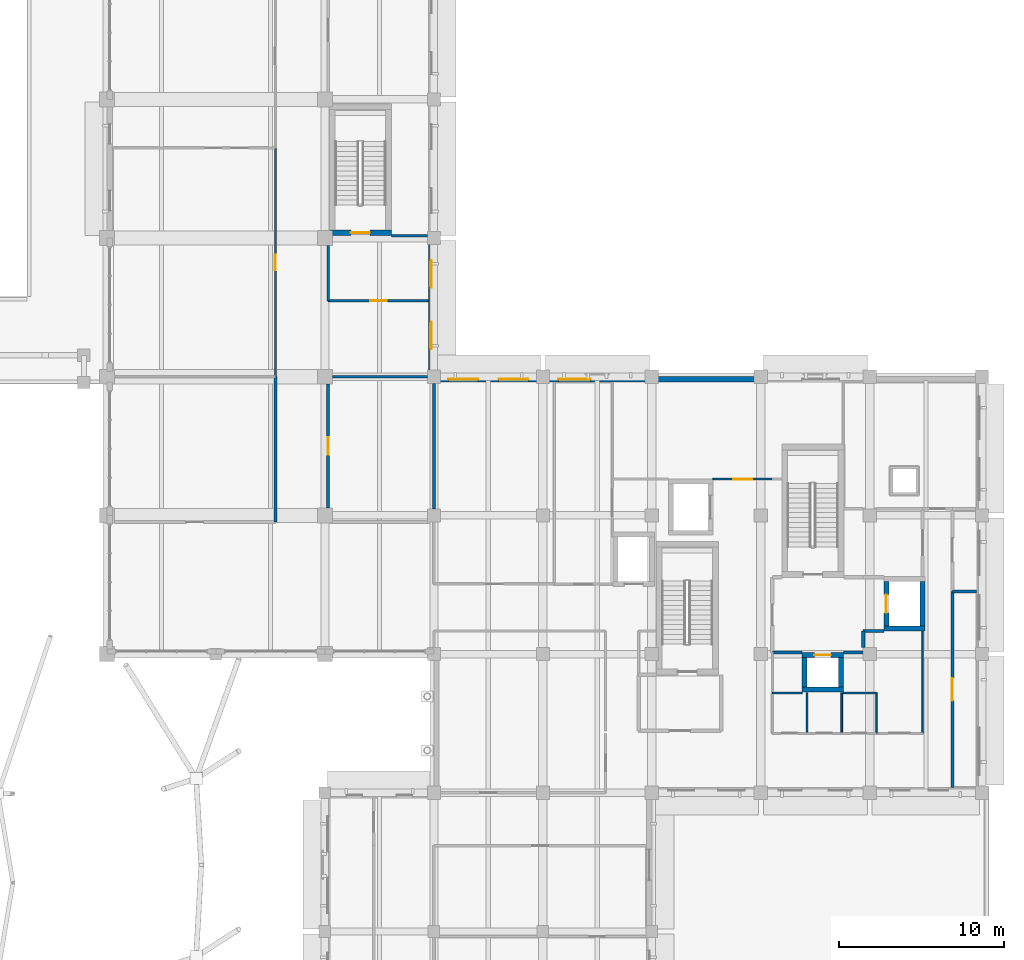
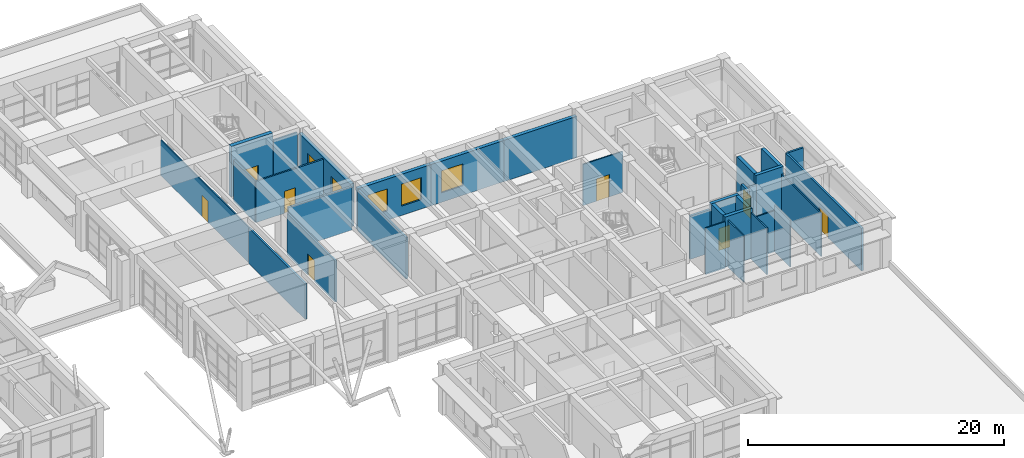
# One storey, part 54 of 75: 33 walls, 8 doors, 5 windows, 13 openings.
"""IFC4 building model written with IfcOpenShell, lengths in metres."""

from ifc_helpers import new_model, si_unit, direction, frame, frame_2d, origin, place, context, subcontext, project, spatial, rectangle, extrude, material, layer, layer_set, type_object, element, fill, save


model = new_model("IFC4")

# Units and contexts
model_context = context("Model", 3, precision=1e-05, world=origin(), true_north=direction((0.0, 1.0)))
body_context = subcontext(model_context, "Body", "Model", "MODEL_VIEW")
ifc_project = project(units=[si_unit("LENGTHUNIT", "METRE"), si_unit("AREAUNIT", "SQUARE_METRE"), si_unit("VOLUMEUNIT", "CUBIC_METRE"), si_unit("PLANEANGLEUNIT", "RADIAN"), si_unit("MASSUNIT", "GRAM", prefix="KILO")], contexts=[model_context])

# Site, building, storey
site_placement = place(None, origin())
site = spatial("IfcSite", under=ifc_project, at=site_placement, CompositionType="ELEMENT")
building_placement = place(site_placement, origin())
building = spatial("IfcBuilding", under=site, at=building_placement, Name="Kolvaren Faculty of Natural Sciences", CompositionType="ELEMENT")
storey_placement = place(building_placement, frame((0.0, 0.0, 5.39990234375)))
storey = spatial("IfcBuildingStorey", under=building, at=storey_placement, Name="L01", CompositionType="ELEMENT", Elevation=5.39990234375)

# Wall, opening, door
ifc_material_1 = material(Name="Concrete C40/50", Category="concrete")
ifc_layer_1 = layer(ifc_material_1, 0.35009765625)
ifc_layer_set_1 = layer_set([ifc_layer_1], Name="Concrete C40/50")
wall_type_1 = type_object("IfcWallType", Name="CoreShearWall_350", PredefinedType="SHEAR", material=ifc_layer_set_1)
wall_1_placement = place(storey_placement, frame((132.47509765625, 92.925048828125, 0.0), z_axis=(0.0, 0.0, 1.0), x_axis=(1.0, 0.0, 0.0)))
wall_1 = element("IfcWall", 1, at=wall_1_placement, inside=storey, type_object=wall_type_1, Name="L01 CORE-C7 stair shear wall S", PredefinedType="SHEAR", context=body_context, shape_type="SweptSolid", body=[
    extrude(rectangle(XDim=3.75, YDim=0.35009765625, at=frame_2d((1.875, 0.0))), origin(), (0.0, 0.0, 1.0), 4.800048828125),
])
opening_1_placement = place(wall_1_placement, frame((1.300048828125, 0.0, 0.0)))
opening_1 = element("IfcOpeningElement", 2, at=opening_1_placement, cuts=wall_1, Name="Opening FD90", PredefinedType="OPENING", context=body_context, shape_type="SweptSolid", body=[
    extrude(rectangle(XDim=1.14990234375, YDim=2.14990234375, at=frame_2d((0.574951171875, 1.074951171875))), frame((0.0, 0.18505859375, 0.0), z_axis=(0.0, -1.0, 0.0), x_axis=(1.0, 0.0, 0.0)), (0.0, 0.0, 1.0), 0.3701171875),
])
ifc_material_2 = material(Name="Fire-rated solid-core hardwood door leaf in steel frame", Category="steel")
door_type_1 = type_object("IfcDoorType", Name="StairCoreFireDoor_1150x2150", OperationType="NOTDEFINED", PredefinedType="DOOR", material=ifc_material_2)
door_1_placement = place(opening_1_placement, origin())
door_1 = element("IfcDoor", 3, at=door_1_placement, inside=storey, type_object=door_type_1, Name="D-ST-ST-7-L01", OperationType="SINGLE_SWING_LEFT", OverallHeight=2.14990234375, OverallWidth=1.14990234375, PredefinedType="DOOR", context=body_context, shape_type="SweptSolid", body=[
    extrude(rectangle(XDim=1.14990234375, YDim=2.14990234375, at=frame_2d((0.574951171875, 1.074951171875))), frame((0.0, 0.02490234375, 0.0), z_axis=(0.0, -1.0, 0.0), x_axis=(1.0, 0.0, 0.0)), (0.0, 0.0, 1.0), 0.050048828125),
])
fill(opening_1, door_1)

# Wall
ifc_material_3 = material(Name="Acoustic mineral-wool insulated gypsum partition")
ifc_layer_2 = layer(ifc_material_3, 0.094970703125)
ifc_layer_set_2 = layer_set([ifc_layer_2], Name="Acoustic mineral-wool insulated gypsum partition")
wall_type_2 = type_object("IfcWallType", Name="CubiclePartition_095", PredefinedType="PARTITIONING", material=ifc_layer_set_2)
wall_2_placement = place(storey_placement, frame((168.39990234375, 68.798095703125, 0.0), z_axis=(0.0, 0.0, 1.0), x_axis=(0.0, -1.0, 0.0)))
element("IfcWall", 4, at=wall_2_placement, inside=storey, type_object=wall_type_2, Name="L01 interior partition PW-095", PredefinedType="PARTITIONING", context=body_context, shape_type="SweptSolid", body=[
    extrude(rectangle(XDim=6.197998046875, YDim=0.094970703125, at=frame_2d((3.09912109375, 0.0))), origin(), (0.0, 0.0, 1.0), 4.135009765625),
])

# Wall, openings, windows
ifc_material_4 = material(Name="Sandstone-faced insulated cavity masonry", Category="masonry")
ifc_layer_3 = layer(ifc_material_4, 0.320068359375)
ifc_layer_set_3 = layer_set([ifc_layer_3], Name="Sandstone-faced insulated cavity masonry")
wall_type_3 = type_object("IfcWallType", Name="ExteriorCavityWall_320", PredefinedType="STANDARD", material=ifc_layer_set_3)
wall_3_placement = place(storey_placement, frame((138.639892578125, 92.60009765625, 0.0), z_axis=(0.0, 0.0, 1.0), x_axis=(0.0, -1.0, 0.0)))
wall_3 = element("IfcWall", 5, at=wall_3_placement, inside=storey, type_object=wall_type_3, Name="L01 exterior masonry wall EW-320 (210)", PredefinedType="STANDARD", context=body_context, shape_type="SweptSolid", body=[
    extrude(rectangle(XDim=8.080078125, YDim=0.320068359375, at=frame_2d((4.0400390625, 0.0))), origin(), (0.0, 0.0, 1.0), 4.085205078125),
])
opening_2_placement = place(wall_3_placement, frame((1.356689453125, 0.0, 0.89990234375)))
opening_2 = element("IfcOpeningElement", 6, at=opening_2_placement, cuts=wall_3, Name="Opening WIN-04", PredefinedType="OPENING", context=body_context, shape_type="SweptSolid", body=[
    extrude(rectangle(XDim=1.64990234375, YDim=2.10009765625, at=frame_2d((0.824951171875, 1.050048828125))), frame((0.0, 0.169921875, 0.0), z_axis=(0.0, -1.0, 0.0), x_axis=(1.0, 0.0, 0.0)), (0.0, 0.0, 1.0), 0.340087890625),
])
opening_3_placement = place(wall_3_placement, frame((5.073486328125, 0.0, 0.89990234375)))
opening_3 = element("IfcOpeningElement", 7, at=opening_3_placement, cuts=wall_3, Name="Opening WIN-04", PredefinedType="OPENING", context=body_context, shape_type="SweptSolid", body=[
    extrude(rectangle(XDim=1.64990234375, YDim=2.10009765625, at=frame_2d((0.824951171875, 1.050048828125))), frame((0.0, 0.169921875, 0.0), z_axis=(0.0, -1.0, 0.0), x_axis=(1.0, 0.0, 0.0)), (0.0, 0.0, 1.0), 0.340087890625),
])
ifc_material_5 = material(Name="Double low-E solar control insulated glazing", Category="glass")
window_type_1 = type_object("IfcWindowType", Name="AluWindow_WIN04_1650x2100", PartitioningType="SINGLE_PANEL", PredefinedType="WINDOW", material=ifc_material_5)
window_1_placement = place(opening_2_placement, origin())
window_1 = element("IfcWindow", 8, at=window_1_placement, inside=storey, type_object=window_type_1, Name="WIN-L01-0179", OverallHeight=2.10009765625, OverallWidth=1.64990234375, PartitioningType="SINGLE_PANEL", PredefinedType="WINDOW", context=body_context, shape_type="SweptSolid", body=[
    extrude(rectangle(XDim=1.64990234375, YDim=2.10009765625, at=frame_2d((0.824951171875, 1.050048828125))), frame((0.0, 0.030029296875, 0.0), z_axis=(0.0, -1.0, 0.0), x_axis=(1.0, 0.0, 0.0)), (0.0, 0.0, 1.0), 0.06005859375),
])
fill(opening_2, window_1)
window_2_placement = place(opening_3_placement, origin())
window_2 = element("IfcWindow", 9, at=window_2_placement, inside=storey, type_object=window_type_1, Name="WIN-L01-0180", OverallHeight=2.10009765625, OverallWidth=1.64990234375, PartitioningType="SINGLE_PANEL", PredefinedType="WINDOW", context=body_context, shape_type="SweptSolid", body=[
    extrude(rectangle(XDim=1.64990234375, YDim=2.10009765625, at=frame_2d((0.824951171875, 1.050048828125))), frame((0.0, 0.030029296875, 0.0), z_axis=(0.0, -1.0, 0.0), x_axis=(1.0, 0.0, 0.0)), (0.0, 0.0, 1.0), 0.06005859375),
])
fill(opening_3, window_2)

wall_4_placement = place(storey_placement, frame((138.800048828125, 84.0400390625, 0.0), z_axis=(0.0, 0.0, 1.0), x_axis=(1.0, 0.0, 0.0)))
wall_4 = element("IfcWall", 10, at=wall_4_placement, inside=storey, type_object=wall_type_3, Name="L01 exterior masonry wall EW-320 (211)", PredefinedType="STANDARD", context=body_context, shape_type="SweptSolid", body=[
    extrude(rectangle(XDim=6.599853515625, YDim=0.320068359375, at=frame_2d((3.2998046875, 0.0))), origin(), (0.0, 0.0, 1.0), 3.93505859375),
])
opening_4_placement = place(wall_4_placement, frame((0.882080078125, 0.0, 0.89990234375)))
opening_4 = element("IfcOpeningElement", 11, at=opening_4_placement, cuts=wall_4, Name="Opening WIN-05", PredefinedType="OPENING", context=body_context, shape_type="SweptSolid", body=[
    extrude(rectangle(XDim=1.800048828125, YDim=2.10009765625, at=frame_2d((0.89990234375, 1.050048828125))), frame((0.0, 0.169921875, 0.0), z_axis=(0.0, -1.0, 0.0), x_axis=(1.0, 0.0, 0.0)), (0.0, 0.0, 1.0), 0.340087890625),
])
opening_5_placement = place(wall_4_placement, frame((3.91796875, 0.0, 0.89990234375)))
opening_5 = element("IfcOpeningElement", 12, at=opening_5_placement, cuts=wall_4, Name="Opening WIN-05", PredefinedType="OPENING", context=body_context, shape_type="SweptSolid", body=[
    extrude(rectangle(XDim=1.800048828125, YDim=2.10009765625, at=frame_2d((0.89990234375, 1.050048828125))), frame((0.0, 0.169921875, 0.0), z_axis=(0.0, -1.0, 0.0), x_axis=(1.0, 0.0, 0.0)), (0.0, 0.0, 1.0), 0.340087890625),
])
window_type_2 = type_object("IfcWindowType", Name="AluWindow_WIN05_1800x2100", PartitioningType="SINGLE_PANEL", PredefinedType="WINDOW", material=ifc_material_5)
window_3_placement = place(opening_4_placement, origin())
window_3 = element("IfcWindow", 13, at=window_3_placement, inside=storey, type_object=window_type_2, Name="WIN-L01-0181", OverallHeight=2.10009765625, OverallWidth=1.800048828125, PartitioningType="SINGLE_PANEL", PredefinedType="WINDOW", context=body_context, shape_type="SweptSolid", body=[
    extrude(rectangle(XDim=1.800048828125, YDim=2.10009765625, at=frame_2d((0.89990234375, 1.050048828125))), frame((0.0, 0.030029296875, 0.0), z_axis=(0.0, -1.0, 0.0), x_axis=(1.0, 0.0, 0.0)), (0.0, 0.0, 1.0), 0.06005859375),
])
fill(opening_4, window_3)
window_4_placement = place(opening_5_placement, origin())
window_4 = element("IfcWindow", 14, at=window_4_placement, inside=storey, type_object=window_type_2, Name="WIN-L01-0182", OverallHeight=2.10009765625, OverallWidth=1.800048828125, PartitioningType="SINGLE_PANEL", PredefinedType="WINDOW", context=body_context, shape_type="SweptSolid", body=[
    extrude(rectangle(XDim=1.800048828125, YDim=2.10009765625, at=frame_2d((0.89990234375, 1.050048828125))), frame((0.0, 0.030029296875, 0.0), z_axis=(0.0, -1.0, 0.0), x_axis=(1.0, 0.0, 0.0)), (0.0, 0.0, 1.0), 0.06005859375),
])
fill(opening_5, window_4)

# Wall, opening, window
wall_5_placement = place(storey_placement, frame((145.39990234375, 84.0400390625, 0.0), z_axis=(0.0, 0.0, 1.0), x_axis=(1.0, 0.0, 0.0)))
wall_5 = element("IfcWall", 15, at=wall_5_placement, inside=storey, type_object=wall_type_3, Name="L01 exterior masonry wall EW-320 (212)", PredefinedType="STANDARD", context=body_context, shape_type="SweptSolid", body=[
    extrude(rectangle(XDim=6.60009765625, YDim=0.320068359375, at=frame_2d((3.300048828125, 0.0))), origin(), (0.0, 0.0, 1.0), 3.93505859375),
])
opening_6_placement = place(wall_5_placement, frame((0.93994140625, 0.0, 0.89990234375)))
opening_6 = element("IfcOpeningElement", 16, at=opening_6_placement, cuts=wall_5, Name="Opening WIN-06", PredefinedType="OPENING", context=body_context, shape_type="SweptSolid", body=[
    extrude(rectangle(XDim=1.949951171875, YDim=2.10009765625, at=frame_2d((0.97509765625, 1.050048828125))), frame((0.0, 0.169921875, 0.0), z_axis=(0.0, -1.0, 0.0), x_axis=(1.0, 0.0, 0.0)), (0.0, 0.0, 1.0), 0.340087890625),
])
window_type_3 = type_object("IfcWindowType", Name="AluWindow_WIN06_1950x2100", PartitioningType="SINGLE_PANEL", PredefinedType="WINDOW", material=ifc_material_5)
window_5_placement = place(opening_6_placement, origin())
window_5 = element("IfcWindow", 17, at=window_5_placement, inside=storey, type_object=window_type_3, Name="WIN-L01-0183", OverallHeight=2.10009765625, OverallWidth=1.949951171875, PartitioningType="SINGLE_PANEL", PredefinedType="WINDOW", context=body_context, shape_type="SweptSolid", body=[
    extrude(rectangle(XDim=1.949951171875, YDim=2.10009765625, at=frame_2d((0.97509765625, 1.050048828125))), frame((0.0, 0.030029296875, 0.0), z_axis=(0.0, -1.0, 0.0), x_axis=(1.0, 0.0, 0.0)), (0.0, 0.0, 1.0), 0.06005859375),
])
fill(opening_6, window_5)

# Walls
wall_6_placement = place(storey_placement, frame((152.0, 84.0400390625, 0.0), z_axis=(0.0, 0.0, 1.0), x_axis=(1.0, 0.0, 0.0)))
element("IfcWall", 18, at=wall_6_placement, inside=storey, type_object=wall_type_3, Name="L01 exterior masonry wall EW-320 (213)", PredefinedType="STANDARD", context=body_context, shape_type="SweptSolid", body=[
    extrude(rectangle(XDim=6.60009765625, YDim=0.320068359375, at=frame_2d((3.300048828125, 0.0))), origin(), (0.0, 0.0, 1.0), 3.93505859375),
])
ifc_material_6 = material(Name="Autoclaved aerated fire-rated masonry blockwork", Category="masonry")
ifc_layer_4 = layer(ifc_material_6, 0.199951171875)
ifc_layer_set_4 = layer_set([ifc_layer_4], Name="Autoclaved aerated fire-rated masonry blockwork")
wall_type_4 = type_object("IfcWallType", Name="FireLobbyWall_200", PredefinedType="PARTITIONING", material=ifc_layer_set_4)
wall_7_placement = place(storey_placement, frame((166.050048828125, 68.800048828125, 0.0), z_axis=(0.0, 0.0, 1.0), x_axis=(-1.0, 0.0, 0.0)))
element("IfcWall", 19, at=wall_7_placement, inside=storey, type_object=wall_type_4, Name="L01 interior partition FW-200", PredefinedType="PARTITIONING", context=body_context, shape_type="SweptSolid", body=[
    extrude(rectangle(XDim=1.25, YDim=0.199951171875, at=frame_2d((0.625, 0.0))), origin(), (0.0, 0.0, 1.0), 3.93505859375),
])
wall_8_placement = place(storey_placement, frame((164.800048828125, 68.800048828125, 0.0), z_axis=(0.0, 0.0, 1.0), x_axis=(0.0, -1.0, 0.0)))
element("IfcWall", 20, at=wall_8_placement, inside=storey, type_object=wall_type_4, Name="L01 interior partition FW-200", PredefinedType="PARTITIONING", context=body_context, shape_type="SweptSolid", body=[
    extrude(rectangle(XDim=1.0, YDim=0.199951171875, at=frame_2d((0.5, 0.0))), origin(), (0.0, 0.0, 1.0), 4.445068359375),
])
wall_9_placement = place(storey_placement, frame((164.800048828125, 67.5, 0.0), z_axis=(0.0, 0.0, 1.0), x_axis=(-1.0, 0.0, 0.0)))
element("IfcWall", 21, at=wall_9_placement, inside=storey, type_object=wall_type_4, Name="L01 interior partition FW-200", PredefinedType="PARTITIONING", context=body_context, shape_type="SweptSolid", body=[
    extrude(rectangle(XDim=1.199951171875, YDim=0.199951171875, at=frame_2d((0.60009765625, 0.0))), origin(), (0.0, 0.0, 1.0), 4.135009765625),
])
wall_10_placement = place(storey_placement, frame((161.10009765625, 67.5, 0.0), z_axis=(0.0, 0.0, 1.0), x_axis=(-1.0, 0.0, 0.0)))
element("IfcWall", 22, at=wall_10_placement, inside=storey, type_object=wall_type_4, Name="L01 interior partition FW-200", PredefinedType="PARTITIONING", context=body_context, shape_type="SweptSolid", body=[
    extrude(rectangle(XDim=1.800048828125, YDim=0.199951171875, at=frame_2d((0.89990234375, 0.0))), origin(), (0.0, 0.0, 1.0), 4.135009765625),
])

# Wall, opening, door
ifc_layer_5 = layer(ifc_material_3, 0.179931640625)
ifc_layer_set_5 = layer_set([ifc_layer_5], Name="Acoustic mineral-wool insulated gypsum partition")
wall_type_5 = type_object("IfcWallType", Name="LabPartitionWall_180", PredefinedType="PARTITIONING", material=ifc_layer_set_5)
wall_11_placement = place(storey_placement, frame((132.39990234375, 76.25, 0.0), z_axis=(0.0, 0.0, 1.0), x_axis=(0.0, 1.0, 0.0)))
wall_11 = element("IfcWall", 23, at=wall_11_placement, inside=storey, type_object=wall_type_5, Name="L01 interior partition PW-180", PredefinedType="PARTITIONING", context=body_context, shape_type="SweptSolid", body=[
    extrude(rectangle(XDim=7.5, YDim=0.179931640625, at=frame_2d((3.75, 0.0))), origin(), (0.0, 0.0, 1.0), 3.93505859375),
])
opening_7_placement = place(wall_11_placement, frame((3.219970703125, 0.0, 0.0)))
opening_7 = element("IfcOpeningElement", 24, at=opening_7_placement, cuts=wall_11, Name="Opening ID-05", PredefinedType="OPENING", context=body_context, shape_type="SweptSolid", body=[
    extrude(rectangle(XDim=1.06005859375, YDim=2.02001953125, at=frame_2d((0.530029296875, 1.010009765625))), frame((0.0, 0.099853515625, 0.0), z_axis=(0.0, -1.0, 0.0), x_axis=(1.0, 0.0, 0.0)), (0.0, 0.0, 1.0), 0.199951171875),
])
ifc_material_7 = material(Name="Solid-core hardwood veneer door leaf in steel frame", Category="steel")
door_type_2 = type_object("IfcDoorType", Name="InteriorRoomDoor_1060x2020", OperationType="NOTDEFINED", PredefinedType="DOOR", material=ifc_material_7)
door_2_placement = place(opening_7_placement, origin())
door_2 = element("IfcDoor", 25, at=door_2_placement, inside=storey, type_object=door_type_2, Name="D-L01-0131", OperationType="SINGLE_SWING_LEFT", OverallHeight=2.02001953125, OverallWidth=1.06005859375, PredefinedType="DOOR", context=body_context, shape_type="SweptSolid", body=[
    extrude(rectangle(XDim=1.06005859375, YDim=2.02001953125, at=frame_2d((0.530029296875, 1.010009765625))), frame((0.0, 0.02490234375, 0.0), z_axis=(0.0, -1.0, 0.0), x_axis=(1.0, 0.0, 0.0)), (0.0, 0.0, 1.0), 0.050048828125),
])
fill(opening_7, door_2)

# Walls
wall_12_placement = place(storey_placement, frame((132.64990234375, 84.199951171875, 0.0), z_axis=(0.0, 0.0, 1.0), x_axis=(1.0, 0.0, 0.0)))
element("IfcWall", 26, at=wall_12_placement, inside=storey, type_object=wall_type_5, Name="L01 interior partition PW-180", PredefinedType="PARTITIONING", context=body_context, shape_type="SweptSolid", body=[
    extrude(rectangle(XDim=5.75, YDim=0.179931640625, at=frame_2d((2.875, 0.0))), origin(), (0.0, 0.0, 1.0), 4.135009765625),
])
wall_13_placement = place(storey_placement, frame((138.800048828125, 83.800048828125, 0.0), z_axis=(0.0, 0.0, 1.0), x_axis=(0.0, -1.0, 0.0)))
element("IfcWall", 27, at=wall_13_placement, inside=storey, type_object=wall_type_5, Name="L01 interior partition PW-180", PredefinedType="PARTITIONING", context=body_context, shape_type="SweptSolid", body=[
    extrude(rectangle(XDim=7.60009765625, YDim=0.179931640625, at=frame_2d((3.800048828125, 0.0))), origin(), (0.0, 0.0, 1.0), 3.93505859375),
])
ifc_layer_6 = layer(ifc_material_3, 0.18505859375)
ifc_layer_set_6 = layer_set([ifc_layer_6], Name="Acoustic mineral-wool insulated gypsum partition")
wall_type_6 = type_object("IfcWallType", Name="LabPartitionWall_185", PredefinedType="PARTITIONING", material=ifc_layer_set_6)
wall_14_placement = place(storey_placement, frame((129.199951171875, 84.199951171875, 0.0), z_axis=(0.0, 0.0, 1.0), x_axis=(0.0, -1.0, 0.0)))
element("IfcWall", 28, at=wall_14_placement, inside=storey, type_object=wall_type_6, Name="L01 interior partition PW-185", PredefinedType="PARTITIONING", context=body_context, shape_type="SweptSolid", body=[
    extrude(rectangle(XDim=8.800048828125, YDim=0.18505859375, at=frame_2d((4.39990234375, 0.0))), origin(), (0.0, 0.0, 1.0), 3.385009765625),
])

# Wall, opening, door
wall_15_placement = place(storey_placement, frame((170.199951171875, 59.322021484375, 0.0), z_axis=(0.0, 0.0, 1.0), x_axis=(0.0, 1.0, 0.0)))
wall_15 = element("IfcWall", 29, at=wall_15_placement, inside=storey, type_object=wall_type_6, Name="L01 interior partition PW-185", PredefinedType="PARTITIONING", context=body_context, shape_type="SweptSolid", body=[
    extrude(rectangle(XDim=11.8779296875, YDim=0.18505859375, at=frame_2d((5.93896484375, 0.0))), origin(), (0.0, 0.0, 1.0), 4.085205078125),
])
opening_8_placement = place(wall_15_placement, frame((5.259033203125, 0.0, 0.0)))
opening_8 = element("IfcOpeningElement", 30, at=opening_8_placement, cuts=wall_15, Name="Opening ID-26", PredefinedType="OPENING", context=body_context, shape_type="SweptSolid", body=[
    extrude(rectangle(XDim=1.360107421875, YDim=2.139892578125, at=frame_2d((0.68017578125, 1.06982421875))), frame((0.0, 0.1025390625, 0.0), z_axis=(0.0, -1.0, 0.0), x_axis=(1.0, 0.0, 0.0)), (0.0, 0.0, 1.0), 0.205078125),
])
ifc_material_8 = material(Name="Thermally broken anodised aluminium glazed door", Category="aluminium")
door_type_3 = type_object("IfcDoorType", Name="InteriorRoomDoor_1360x2140", OperationType="DOUBLE_DOOR_SINGLE_SWING", PredefinedType="DOOR", material=ifc_material_8)
door_3_placement = place(opening_8_placement, origin())
door_3 = element("IfcDoor", 31, at=door_3_placement, inside=storey, type_object=door_type_3, Name="D-L01-0162", OperationType="DOUBLE_DOOR_SINGLE_SWING", OverallHeight=2.139892578125, OverallWidth=1.360107421875, PredefinedType="DOOR", context=body_context, shape_type="SweptSolid", body=[
    extrude(rectangle(XDim=1.360107421875, YDim=2.139892578125, at=frame_2d((0.68017578125, 1.06982421875))), frame((0.0, 0.02490234375, 0.0), z_axis=(0.0, -1.0, 0.0), x_axis=(1.0, 0.0, 0.0)), (0.0, 0.0, 1.0), 0.050048828125),
])
fill(opening_8, door_3)

# Walls
wall_16_placement = place(storey_placement, frame((170.199951171875, 71.199951171875, 0.0), z_axis=(0.0, 0.0, 1.0), x_axis=(1.0, 0.0, 0.0)))
element("IfcWall", 32, at=wall_16_placement, inside=storey, type_object=wall_type_6, Name="L01 interior partition PW-185", PredefinedType="PARTITIONING", context=body_context, shape_type="SweptSolid", body=[
    extrude(rectangle(XDim=1.47802734375, YDim=0.18505859375, at=frame_2d((0.739013671875, 0.0))), origin(), (0.0, 0.0, 1.0), 4.085205078125),
])
ifc_material_9 = material(Name="Double fire-rated gypsum board on 100 mm steel stud", Category="steel")
ifc_layer_7 = layer(ifc_material_9, 0.14990234375)
ifc_layer_set_7 = layer_set([ifc_layer_7], Name="Double fire-rated gypsum board on 100 mm steel stud")
wall_type_7 = type_object("IfcWallType", Name="RatedCorridorWall_150", PredefinedType="PARTITIONING", material=ifc_layer_set_7)
wall_17_placement = place(storey_placement, frame((136.22509765625, 92.75, 0.0), z_axis=(0.0, 0.0, 1.0), x_axis=(1.0, 0.0, 0.0)))
element("IfcWall", 33, at=wall_17_placement, inside=storey, type_object=wall_type_7, Name="L01 interior partition LW-150", PredefinedType="PARTITIONING", context=body_context, shape_type="SweptSolid", body=[
    extrude(rectangle(XDim=2.1748046875, YDim=0.14990234375, at=frame_2d((1.08740234375, 0.0))), origin(), (0.0, 0.0, 1.0), 4.135009765625),
])

# Wall, opening, door
wall_18_placement = place(storey_placement, frame((138.47802734375, 88.800048828125, 0.0), z_axis=(0.0, 0.0, 1.0), x_axis=(-1.0, 0.0, 0.0)))
wall_18 = element("IfcWall", 34, at=wall_18_placement, inside=storey, type_object=wall_type_7, Name="L01 interior partition LW-150", PredefinedType="PARTITIONING", context=body_context, shape_type="SweptSolid", body=[
    extrude(rectangle(XDim=6.078125, YDim=0.14990234375, at=frame_2d((3.0390625, 0.0))), origin(), (0.0, 0.0, 1.0), 3.93505859375),
])
opening_9_placement = place(wall_18_placement, frame((2.5390625, 0.0, 0.0)))
opening_9 = element("IfcOpeningElement", 35, at=opening_9_placement, cuts=wall_18, Name="Opening FD30", PredefinedType="OPENING", context=body_context, shape_type="SweptSolid", body=[
    extrude(rectangle(XDim=1.0, YDim=2.10009765625, at=frame_2d((0.5, 1.050048828125))), frame((0.0, 0.0849609375, 0.0), z_axis=(0.0, -1.0, 0.0), x_axis=(1.0, 0.0, 0.0)), (0.0, 0.0, 1.0), 0.169921875),
])
door_type_4 = type_object("IfcDoorType", Name="CorridorFireDoor_1000x2100", OperationType="NOTDEFINED", PredefinedType="DOOR", material=ifc_material_2)
door_4_placement = place(opening_9_placement, origin())
door_4 = element("IfcDoor", 36, at=door_4_placement, inside=storey, type_object=door_type_4, Name="D-L01-0109", OperationType="SINGLE_SWING_LEFT", OverallHeight=2.10009765625, OverallWidth=1.0, PredefinedType="DOOR", context=body_context, shape_type="SweptSolid", body=[
    extrude(rectangle(XDim=1.0, YDim=2.10009765625, at=frame_2d((0.5, 1.050048828125))), frame((0.0, 0.02490234375, 0.0), z_axis=(0.0, -1.0, 0.0), x_axis=(1.0, 0.0, 0.0)), (0.0, 0.0, 1.0), 0.050048828125),
])
fill(opening_9, door_4)

# Walls
wall_19_placement = place(storey_placement, frame((132.39990234375, 88.800048828125, 0.0), z_axis=(0.0, 0.0, 1.0), x_axis=(0.0, 1.0, 0.0)))
element("IfcWall", 37, at=wall_19_placement, inside=storey, type_object=wall_type_7, Name="L01 interior partition LW-150", PredefinedType="PARTITIONING", context=body_context, shape_type="SweptSolid", body=[
    extrude(rectangle(XDim=3.349853515625, YDim=0.14990234375, at=frame_2d((1.6748046875, 0.0))), origin(), (0.0, 0.0, 1.0), 3.93505859375),
])
ifc_layer_8 = layer(ifc_material_1, 0.300048828125)
ifc_layer_set_8 = layer_set([ifc_layer_8], Name="Concrete C40/50")
wall_type_8 = type_object("IfcWallType", Name="ShaftShearWall_300", PredefinedType="SHEAR", material=ifc_layer_set_8)
wall_20_placement = place(storey_placement, frame((166.050048828125, 68.949951171875, 0.0), z_axis=(0.0, 0.0, 1.0), x_axis=(1.0, 0.0, 0.0)))
element("IfcWall", 38, at=wall_20_placement, inside=storey, type_object=wall_type_8, Name="L01 lift FL-1 shaft wall S", PredefinedType="SHEAR", context=body_context, shape_type="SweptSolid", body=[
    extrude(rectangle(XDim=2.5, YDim=0.300048828125, at=frame_2d((1.25, 0.0))), origin(), (0.0, 0.0, 1.0), 4.800048828125),
])

# Wall, opening, door
wall_21_placement = place(storey_placement, frame((166.199951171875, 69.10009765625, 0.0), z_axis=(0.0, 0.0, 1.0), x_axis=(0.0, 1.0, 0.0)))
wall_21 = element("IfcWall", 39, at=wall_21_placement, inside=storey, type_object=wall_type_8, Name="L01 lift FL-1 shaft wall W", PredefinedType="SHEAR", context=body_context, shape_type="SweptSolid", body=[
    extrude(rectangle(XDim=2.699951171875, YDim=0.300048828125, at=frame_2d((1.35009765625, 0.0))), origin(), (0.0, 0.0, 1.0), 4.800048828125),
])
opening_10_placement = place(wall_21_placement, frame((0.800048828125, 0.0, 0.0)))
opening_10 = element("IfcOpeningElement", 40, at=opening_10_placement, cuts=wall_21, Name="Opening LD-01", PredefinedType="OPENING", context=body_context, shape_type="SweptSolid", body=[
    extrude(rectangle(XDim=1.10009765625, YDim=2.10009765625, at=frame_2d((0.550048828125, 1.050048828125))), frame((0.0, 0.159912109375, 0.0), z_axis=(0.0, -1.0, 0.0), x_axis=(1.0, 0.0, 0.0)), (0.0, 0.0, 1.0), 0.320068359375),
])
ifc_material_10 = material(Name="Brushed stainless steel lift car and sliding door assembly", Category="steel")
door_type_5 = type_object("IfcDoorType", Name="LiftLandingSliding_1100x2100", OperationType="DOUBLE_DOOR_SLIDING", PredefinedType="DOOR", material=ifc_material_10)
door_5_placement = place(opening_10_placement, origin())
door_5 = element("IfcDoor", 41, at=door_5_placement, inside=storey, type_object=door_type_5, Name="D-LIFT-FL-1-L01", OperationType="DOUBLE_DOOR_SLIDING", OverallHeight=2.10009765625, OverallWidth=1.10009765625, PredefinedType="DOOR", context=body_context, shape_type="SweptSolid", body=[
    extrude(rectangle(XDim=1.10009765625, YDim=2.10009765625, at=frame_2d((0.550048828125, 1.050048828125))), frame((0.0, 0.02490234375, 0.0), z_axis=(0.0, -1.0, 0.0), x_axis=(1.0, 0.0, 0.0)), (0.0, 0.0, 1.0), 0.050048828125),
])
fill(opening_10, door_5)

# Walls
wall_22_placement = place(storey_placement, frame((168.39990234375, 69.10009765625, 0.0), z_axis=(0.0, 0.0, 1.0), x_axis=(0.0, 1.0, 0.0)))
element("IfcWall", 42, at=wall_22_placement, inside=storey, type_object=wall_type_8, Name="L01 lift FL-1 shaft wall E", PredefinedType="SHEAR", context=body_context, shape_type="SweptSolid", body=[
    extrude(rectangle(XDim=2.699951171875, YDim=0.300048828125, at=frame_2d((1.35009765625, 0.0))), origin(), (0.0, 0.0, 1.0), 4.800048828125),
])
wall_23_placement = place(storey_placement, frame((161.10009765625, 65.25, 0.0), z_axis=(0.0, 0.0, 1.0), x_axis=(1.0, 0.0, 0.0)))
element("IfcWall", 43, at=wall_23_placement, inside=storey, type_object=wall_type_8, Name="L01 lift PL-1 shaft wall S", PredefinedType="SHEAR", context=body_context, shape_type="SweptSolid", body=[
    extrude(rectangle(XDim=2.5, YDim=0.300048828125, at=frame_2d((1.25, 0.0))), origin(), (0.0, 0.0, 1.0), 4.800048828125),
])

# Wall, opening, door
wall_24_placement = place(storey_placement, frame((161.10009765625, 67.35009765625, 0.0), z_axis=(0.0, 0.0, 1.0), x_axis=(1.0, 0.0, 0.0)))
wall_24 = element("IfcWall", 44, at=wall_24_placement, inside=storey, type_object=wall_type_8, Name="L01 lift PL-1 shaft wall N", PredefinedType="SHEAR", context=body_context, shape_type="SweptSolid", body=[
    extrude(rectangle(XDim=2.5, YDim=0.300048828125, at=frame_2d((1.25, 0.0))), origin(), (0.0, 0.0, 1.0), 4.800048828125),
])
opening_11_placement = place(wall_24_placement, frame((0.75, 0.0, 0.0)))
opening_11 = element("IfcOpeningElement", 45, at=opening_11_placement, cuts=wall_24, Name="Opening LD-02", PredefinedType="OPENING", context=body_context, shape_type="SweptSolid", body=[
    extrude(rectangle(XDim=1.0, YDim=2.10009765625, at=frame_2d((0.5, 1.050048828125))), frame((0.0, 0.159912109375, 0.0), z_axis=(0.0, -1.0, 0.0), x_axis=(1.0, 0.0, 0.0)), (0.0, 0.0, 1.0), 0.320068359375),
])
door_type_6 = type_object("IfcDoorType", Name="LiftLandingSliding_1000x2100", OperationType="SLIDING_TO_LEFT", PredefinedType="DOOR", material=ifc_material_10)
door_6_placement = place(opening_11_placement, origin())
door_6 = element("IfcDoor", 46, at=door_6_placement, inside=storey, type_object=door_type_6, Name="D-LIFT-PL-1-L01", OperationType="SLIDING_TO_LEFT", OverallHeight=2.10009765625, OverallWidth=1.0, PredefinedType="DOOR", context=body_context, shape_type="SweptSolid", body=[
    extrude(rectangle(XDim=1.0, YDim=2.10009765625, at=frame_2d((0.5, 1.050048828125))), frame((0.0, 0.02490234375, 0.0), z_axis=(0.0, -1.0, 0.0), x_axis=(1.0, 0.0, 0.0)), (0.0, 0.0, 1.0), 0.050048828125),
])
fill(opening_11, door_6)

# Walls
for number, where, z_axis, x_axis, name in (
    (47, (161.25, 65.39990234375, 0.0), (0.0, 0.0, 1.0), (0.0, 1.0, 0.0), "L01 lift PL-1 shaft wall W"),
    (48, (163.449951171875, 65.39990234375, 0.0), (0.0, 0.0, 1.0), (0.0, 1.0, 0.0), "L01 lift PL-1 shaft wall E"),
):
    element("IfcWall", number, at=place(storey_placement, frame(where, z_axis=z_axis, x_axis=x_axis)), inside=storey, type_object=wall_type_8, Name=name, PredefinedType="SHEAR", context=body_context, shape_type="SweptSolid", body=[
        extrude(rectangle(XDim=1.800048828125, YDim=0.300048828125, at=frame_2d((0.89990234375, 0.0))), origin(), (0.0, 0.0, 1.0), 4.800048828125),
    ])
ifc_layer_9 = layer(ifc_material_3, 0.10498046875)
ifc_layer_set_9 = layer_set([ifc_layer_9], Name="Acoustic mineral-wool insulated gypsum partition")
wall_type_9 = type_object("IfcWallType", Name="WetRoomPartition_105", PredefinedType="PARTITIONING", material=ifc_layer_set_9)
wall_25_placement = place(storey_placement, frame((159.300048828125, 65.050048828125, 0.0), z_axis=(0.0, 0.0, 1.0), x_axis=(1.0, 0.0, 0.0)))
element("IfcWall", 49, at=wall_25_placement, inside=storey, type_object=wall_type_9, Name="L01 interior partition PW-105", PredefinedType="PARTITIONING", context=body_context, shape_type="SweptSolid", body=[
    extrude(rectangle(XDim=1.800048828125, YDim=0.10498046875, at=frame_2d((0.89990234375, 0.0))), origin(), (0.0, 0.0, 1.0), 4.445068359375),
])
for number, where, z_axis, x_axis, name in (
    (50, (161.39990234375, 65.050048828125, 0.0), (0.0, 0.0, 1.0), (0.0, -1.0, 0.0), "L01 interior partition PW-105"),
    (51, (163.5, 65.050048828125, 0.0), (0.0, 0.0, 1.0), (0.0, -1.0, 0.0), "L01 interior partition PW-105"),
):
    element("IfcWall", number, at=place(storey_placement, frame(where, z_axis=z_axis, x_axis=x_axis)), inside=storey, type_object=wall_type_9, Name=name, PredefinedType="PARTITIONING", context=body_context, shape_type="SweptSolid", body=[
        extrude(rectangle(XDim=2.449951171875, YDim=0.10498046875, at=frame_2d((1.22509765625, 0.0))), origin(), (0.0, 0.0, 1.0), 4.445068359375),
    ])
wall_26_placement = place(storey_placement, frame((163.60009765625, 65.050048828125, 0.0), z_axis=(0.0, 0.0, 1.0), x_axis=(1.0, 0.0, 0.0)))
element("IfcWall", 52, at=wall_26_placement, inside=storey, type_object=wall_type_9, Name="L01 interior partition PW-105", PredefinedType="PARTITIONING", context=body_context, shape_type="SweptSolid", body=[
    extrude(rectangle(XDim=2.0, YDim=0.10498046875, at=frame_2d((1.0, 0.0))), origin(), (0.0, 0.0, 1.0), 3.93505859375),
])
wall_27_placement = place(storey_placement, frame((165.60009765625, 65.050048828125, 0.0), z_axis=(0.0, 0.0, 1.0), x_axis=(0.0, -1.0, 0.0)))
element("IfcWall", 53, at=wall_27_placement, inside=storey, type_object=wall_type_9, Name="L01 interior partition PW-105", PredefinedType="PARTITIONING", context=body_context, shape_type="SweptSolid", body=[
    extrude(rectangle(XDim=2.449951171875, YDim=0.10498046875, at=frame_2d((1.22509765625, 0.0))), origin(), (0.0, 0.0, 1.0), 4.445068359375),
])

# Wall, opening, door
wall_28_placement = place(storey_placement, frame((129.199951171875, 98.06005859375, 0.0), z_axis=(0.0, 0.0, 1.0), x_axis=(0.0, -1.0, 0.0)))
wall_28 = element("IfcWall", 54, at=wall_28_placement, inside=storey, type_object=wall_type_9, Name="L01 interior partition PW-105", PredefinedType="PARTITIONING", context=body_context, shape_type="SweptSolid", body=[
    extrude(rectangle(XDim=13.860107421875, YDim=0.10498046875, at=frame_2d((6.93017578125, 0.0))), origin(), (0.0, 0.0, 1.0), 3.385009765625),
])
opening_12_placement = place(wall_28_placement, frame((6.4599609375, 0.0, 0.0)))
opening_12 = element("IfcOpeningElement", 55, at=opening_12_placement, cuts=wall_28, Name="Opening ID-02", PredefinedType="OPENING", context=body_context, shape_type="SweptSolid", body=[
    extrude(rectangle(XDim=0.93994140625, YDim=2.02001953125, at=frame_2d((0.469970703125, 1.010009765625))), frame((0.0, 0.0625, 0.0), z_axis=(0.0, -1.0, 0.0), x_axis=(1.0, 0.0, 0.0)), (0.0, 0.0, 1.0), 0.125),
])
door_type_7 = type_object("IfcDoorType", Name="InteriorRoomDoor_940x2020", OperationType="NOTDEFINED", PredefinedType="DOOR", material=ifc_material_7)
door_7_placement = place(opening_12_placement, origin())
door_7 = element("IfcDoor", 56, at=door_7_placement, inside=storey, type_object=door_type_7, Name="D-L01-0126", OperationType="SINGLE_SWING_RIGHT", OverallHeight=2.02001953125, OverallWidth=0.93994140625, PredefinedType="DOOR", context=body_context, shape_type="SweptSolid", body=[
    extrude(rectangle(XDim=0.93994140625, YDim=2.02001953125, at=frame_2d((0.469970703125, 1.010009765625))), frame((0.0, 0.02490234375, 0.0), z_axis=(0.0, -1.0, 0.0), x_axis=(1.0, 0.0, 0.0)), (0.0, 0.0, 1.0), 0.050048828125),
])
fill(opening_12, door_7)

wall_29_placement = place(storey_placement, frame((159.300048828125, 78.0, 0.0), z_axis=(0.0, 0.0, 1.0), x_axis=(-1.0, 0.0, 0.0)))
wall_29 = element("IfcWall", 57, at=wall_29_placement, inside=storey, type_object=wall_type_9, Name="L01 interior partition PW-105", PredefinedType="PARTITIONING", context=body_context, shape_type="SweptSolid", body=[
    extrude(rectangle(XDim=3.60009765625, YDim=0.10498046875, at=frame_2d((1.800048828125, 0.0))), origin(), (0.0, 0.0, 1.0), 3.93505859375),
])
opening_13_placement = place(wall_29_placement, frame((1.219970703125, 0.0, 0.0)))
opening_13 = element("IfcOpeningElement", 58, at=opening_13_placement, cuts=wall_29, Name="Opening ID-24", PredefinedType="OPENING", context=body_context, shape_type="SweptSolid", body=[
    extrude(rectangle(XDim=1.159912109375, YDim=2.139892578125, at=frame_2d((0.580078125, 1.06982421875))), frame((0.0, 0.0625, 0.0), z_axis=(0.0, -1.0, 0.0), x_axis=(1.0, 0.0, 0.0)), (0.0, 0.0, 1.0), 0.125),
])
door_type_8 = type_object("IfcDoorType", Name="InteriorRoomDoor_1160x2140", OperationType="NOTDEFINED", PredefinedType="DOOR", material=ifc_material_7)
door_8_placement = place(opening_13_placement, origin())
door_8 = element("IfcDoor", 59, at=door_8_placement, inside=storey, type_object=door_type_8, Name="D-L01-0160", OperationType="SINGLE_SWING_RIGHT", OverallHeight=2.139892578125, OverallWidth=1.159912109375, PredefinedType="DOOR", context=body_context, shape_type="SweptSolid", body=[
    extrude(rectangle(XDim=1.159912109375, YDim=2.139892578125, at=frame_2d((0.580078125, 1.06982421875))), frame((0.0, 0.02490234375, 0.0), z_axis=(0.0, -1.0, 0.0), x_axis=(1.0, 0.0, 0.0)), (0.0, 0.0, 1.0), 0.050048828125),
])
fill(opening_13, door_8)

save(model, "model.ifc")
